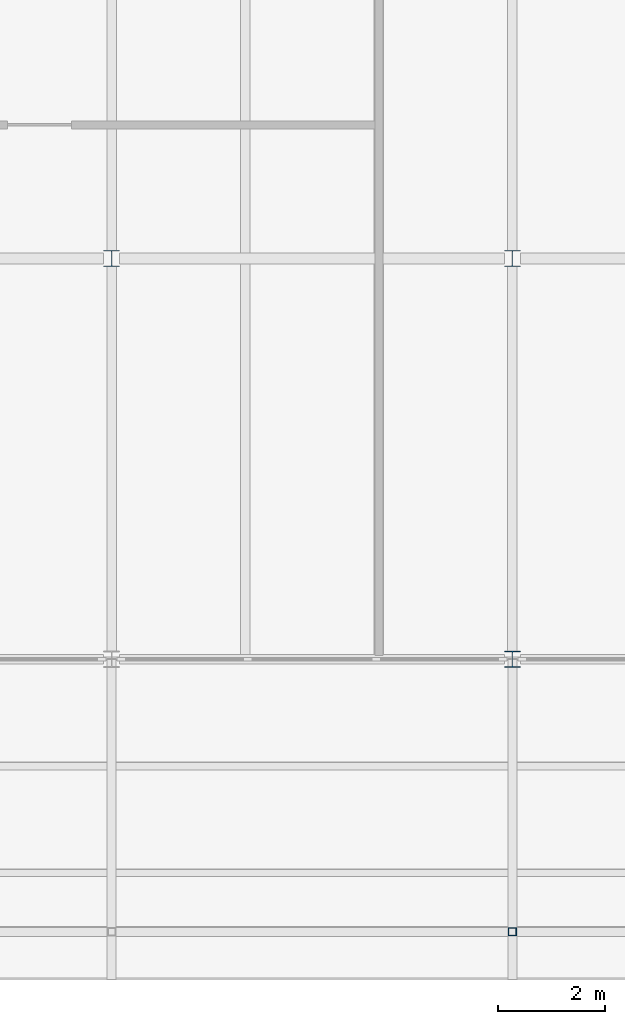
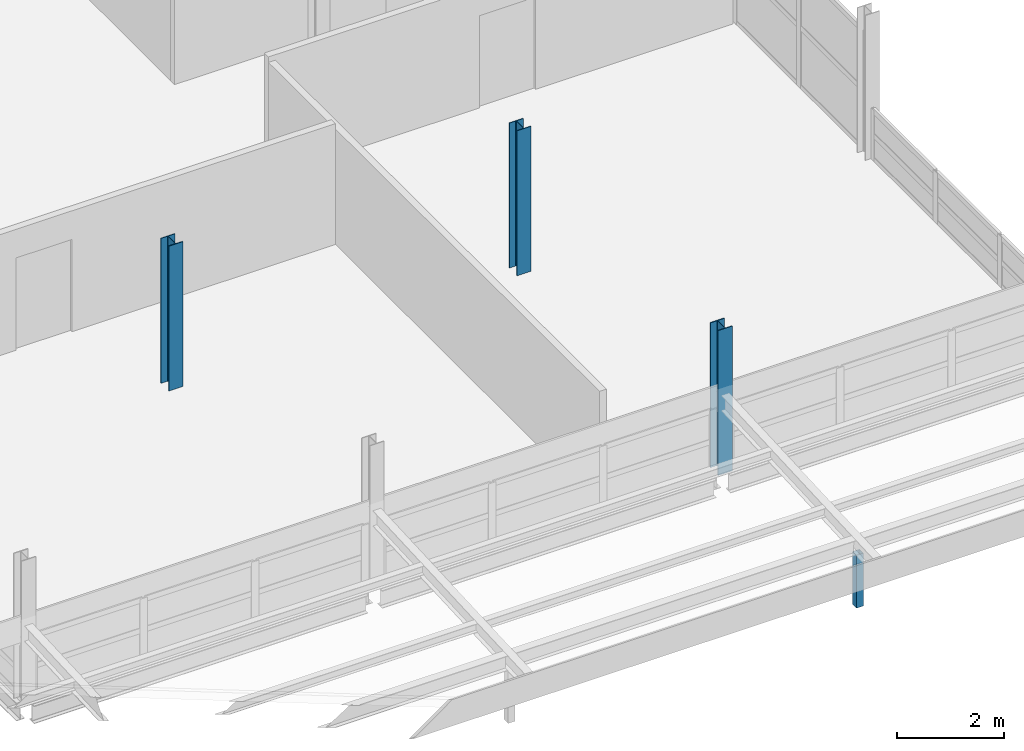
# One storey, part 19 of 214: 4 columns.
"""IFC4 building model written with IfcOpenShell, lengths in metres."""

from ifc_helpers import new_model, si_unit, direction, frame, origin, origin_2d, place, context, subcontext, project, spatial, hollow_rectangle, i_section, extrude, material, material_profile, profile_set, type_object, element, save


model = new_model("IFC4")

# Units and contexts
model_context = context("Model", 3, precision=1e-05, world=origin(), true_north=direction((0.0, 1.0)))
body_context = subcontext(model_context, "Body", "Model", "MODEL_VIEW")
ifc_project = project(units=[si_unit("LENGTHUNIT", "METRE"), si_unit("AREAUNIT", "SQUARE_METRE"), si_unit("VOLUMEUNIT", "CUBIC_METRE"), si_unit("PLANEANGLEUNIT", "RADIAN"), si_unit("MASSUNIT", "GRAM", prefix="KILO")], contexts=[model_context])

# Site, building, storey
site_placement = place(None, origin())
site = spatial("IfcSite", under=ifc_project, at=site_placement, CompositionType="ELEMENT")
building_placement = place(site_placement, origin())
building = spatial("IfcBuilding", under=site, at=building_placement, Name="Parallax Yard Mobility Hub", CompositionType="ELEMENT")
storey_placement = place(building_placement, frame((0.0, 0.0, 3.300048828125)))
storey = spatial("IfcBuildingStorey", under=building, at=storey_placement, Name="L01", CompositionType="ELEMENT", Elevation=3.300048828125)

# Columns
ifc_material_1 = material(Name="Steel ASTM A500 Gr C", Category="steel")
ifc_material_profile_1 = material_profile(ifc_material_1, hollow_rectangle(XDim=0.15234375, YDim=0.15234375, WallThickness=0.009521484375, at=origin_2d()), Name="HSS152x152x9.5")
ifc_profile_set_1 = profile_set([ifc_material_profile_1], Name="Steel ASTM A500 Gr C")
column_type_1 = type_object("IfcColumnType", Name="Roof column HSS152x152x9.5", PredefinedType="COLUMN", material=ifc_profile_set_1)
column_placement = place(storey_placement, frame((165.0, 2.39990234375, 0.0), z_axis=(0.0, 0.0, 1.0), x_axis=(1.0, 0.0, 0.0)))
element("IfcColumn", 1, at=column_placement, inside=storey, type_object=column_type_1, Name="Arcade column V6 10 level L01", PredefinedType="COLUMN", context=body_context, shape_type="SweptSolid", body=[
    extrude(hollow_rectangle(XDim=0.15234375, YDim=0.15234375, WallThickness=0.009521484375, at=origin_2d()), origin(), (0.0, 0.0, 1.0), 1.199951171875),
])
ifc_material_2 = material(Name="Steel ASTM A992", Category="steel")
ifc_material_profile_2 = material_profile(ifc_material_2, i_section(OverallWidth=0.304931640625, OverallDepth=0.306884765625, WebThickness=0.010009765625, FlangeThickness=0.015380859375, FilletRadius=0.01513671875, at=origin_2d()), Name="W310x97")
ifc_profile_set_2 = profile_set([ifc_material_profile_2], Name="Steel ASTM A992")
column_type_2 = type_object("IfcColumnType", Name="W310x97 column", PredefinedType="COLUMN", material=ifc_profile_set_2)
for number, where, z_axis, x_axis, name in (
    (2, (157.5, 15.0, 0.0), (0.0, 0.0, 1.0), (1.0, 0.0, 0.0), "Column C1 level L01 at C/22 of bicycle and shared-mobility hall"),
    (3, (165.0, 7.5, 0.0), (0.0, 0.0, 1.0), (1.0, 0.0, 0.0), "Column C1 level L01 at B/23 of bicycle and shared-mobility hall"),
    (4, (165.0, 15.0, 0.0), (0.0, 0.0, 1.0), (1.0, 0.0, 0.0), "Column C1 level L01 at C/23 of bicycle and shared-mobility hall"),
):
    element("IfcColumn", number, at=place(storey_placement, frame(where, z_axis=z_axis, x_axis=x_axis)), inside=storey, type_object=column_type_2, Name=name, PredefinedType="COLUMN", context=body_context, shape_type="SweptSolid", body=[
        extrude(i_section(OverallWidth=0.304931640625, OverallDepth=0.306884765625, WebThickness=0.010009765625, FlangeThickness=0.015380859375, FilletRadius=0.01513671875, at=origin_2d()), origin(), (0.0, 0.0, 1.0), 3.300048828125),
    ])

save(model, "model.ifc")
